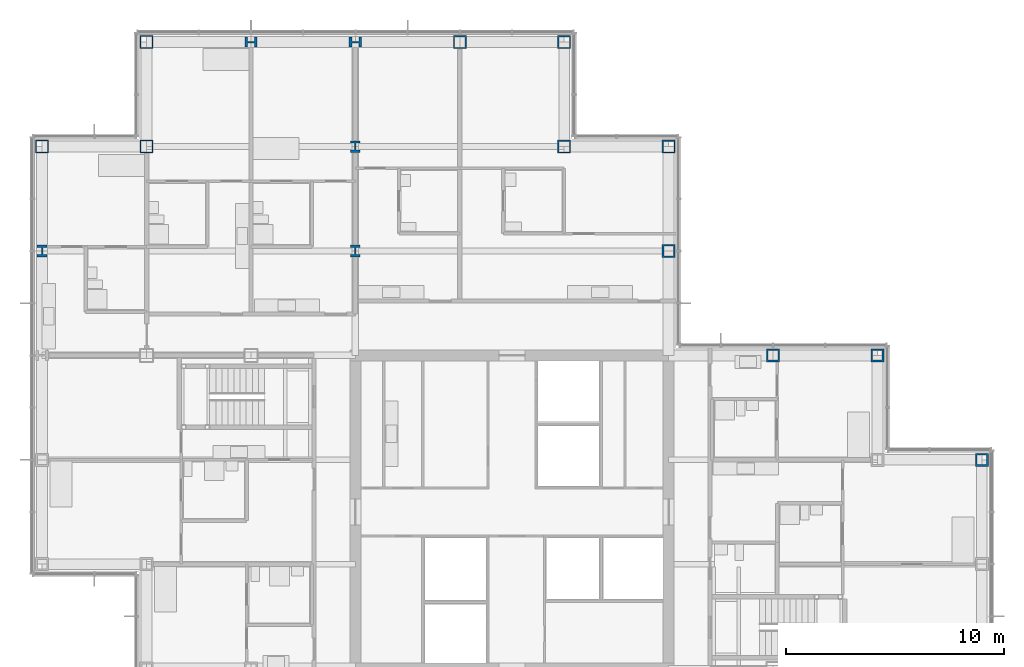
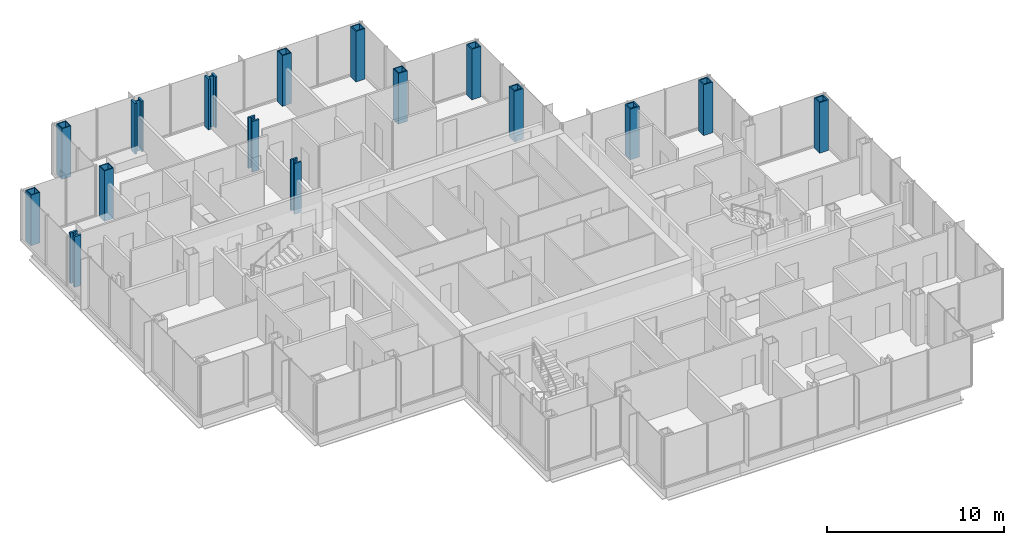
# One storey, part 5 of 19: 16 columns.
"""IFC4 building model written with IfcOpenShell, lengths in metres."""

from ifc_helpers import new_model, si_unit, direction, frame, origin, origin_2d, place, context, subcontext, project, spatial, hollow_rectangle, i_section, extrude, material, material_profile, profile_set, type_object, element, save


model = new_model("IFC4")

# Units and contexts
model_context = context("Model", 3, precision=1e-05, world=origin(), true_north=direction((0.0, 1.0)))
body_context = subcontext(model_context, "Body", "Model", "MODEL_VIEW")
ifc_project = project(units=[si_unit("LENGTHUNIT", "METRE"), si_unit("AREAUNIT", "SQUARE_METRE"), si_unit("VOLUMEUNIT", "CUBIC_METRE"), si_unit("PLANEANGLEUNIT", "RADIAN"), si_unit("MASSUNIT", "GRAM", prefix="KILO")], contexts=[model_context])

# Site, building, storey
site_placement = place(None, origin())
site = spatial("IfcSite", under=ifc_project, at=site_placement, CompositionType="ELEMENT")
building_placement = place(site_placement, origin())
building = spatial("IfcBuilding", under=site, at=building_placement, Name="Kvirike Care Tower", CompositionType="ELEMENT")
storey_placement = place(building_placement, frame((0.0, 0.0, 108.5)))
storey = spatial("IfcBuildingStorey", under=building, at=storey_placement, Name="L29", CompositionType="ELEMENT", Elevation=108.5)

# Columns
ifc_material_1 = material(Name="Steel S460", Category="steel")
ifc_material_profile_1 = material_profile(ifc_material_1, hollow_rectangle(XDim=0.60009765625, YDim=0.60009765625, WallThickness=0.050048828125, at=origin_2d()), Name="BX 600x600x50")
ifc_profile_set_1 = profile_set([ifc_material_profile_1], Name="Steel S460")
column_type_1 = type_object("IfcColumnType", Name="COLUMN BX 600x600x50", PredefinedType="COLUMN", material=ifc_profile_set_1)
for number, where, z_axis, x_axis, name in (
    (1, (0.0, 52.800048828125, 0.0), (0.0, 0.0, 1.0), (0.0, 1.0, 0.0), "Column M3 L29"),
    (2, (4.800048828125, 52.800048828125, 0.0), (0.0, 0.0, 1.0), (0.0, 1.0, 0.0), "Column M4 L29"),
    (3, (4.800048828125, 57.60009765625, 0.0), (0.0, 0.0, 1.0), (0.0, 1.0, 0.0), "Column N4 L29"),
):
    element("IfcColumn", number, at=place(storey_placement, frame(where, z_axis=z_axis, x_axis=x_axis)), inside=storey, type_object=column_type_1, Name=name, PredefinedType="COLUMN", context=body_context, shape_type="SweptSolid", body=[
        extrude(hollow_rectangle(XDim=0.60009765625, YDim=0.60009765625, WallThickness=0.050048828125, at=origin_2d()), origin(), (0.0, 0.0, 1.0), 3.5),
    ])
ifc_material_2 = material(Name="Steel S460", Category="steel")
ifc_material_profile_2 = material_profile(ifc_material_2, hollow_rectangle(XDim=0.60009765625, YDim=0.60009765625, WallThickness=0.06005859375, at=origin_2d()), Name="BX 600x600x60")
ifc_profile_set_2 = profile_set([ifc_material_profile_2], Name="Steel S460")
column_type_2 = type_object("IfcColumnType", Name="COLUMN BX 600x600x60", PredefinedType="COLUMN", material=ifc_profile_set_2)
for number, where, z_axis, x_axis, name in (
    (4, (19.199951171875, 57.60009765625, 0.0), (0.0, 0.0, 1.0), (0.0, 1.0, 0.0), "Column N7 L29"),
    (5, (24.0, 52.800048828125, 0.0), (0.0, 0.0, 1.0), (0.0, 1.0, 0.0), "Column M8 L29"),
    (6, (24.0, 57.60009765625, 0.0), (0.0, 0.0, 1.0), (0.0, 1.0, 0.0), "Column N8 L29"),
    (7, (28.800048828125, 52.800048828125, 0.0), (0.0, 0.0, 1.0), (0.0, 1.0, 0.0), "Column M9 L29"),
):
    element("IfcColumn", number, at=place(storey_placement, frame(where, z_axis=z_axis, x_axis=x_axis)), inside=storey, type_object=column_type_2, Name=name, PredefinedType="COLUMN", context=body_context, shape_type="SweptSolid", body=[
        extrude(hollow_rectangle(XDim=0.60009765625, YDim=0.60009765625, WallThickness=0.06005859375, at=origin_2d()), origin(), (0.0, 0.0, 1.0), 3.5),
    ])
ifc_material_3 = material(Name="Steel S460", Category="steel")
ifc_material_profile_3 = material_profile(ifc_material_3, hollow_rectangle(XDim=0.60009765625, YDim=0.60009765625, WallThickness=0.080078125, at=origin_2d()), Name="BX 600x600x80")
ifc_profile_set_3 = profile_set([ifc_material_profile_3], Name="Steel S460")
column_type_3 = type_object("IfcColumnType", Name="COLUMN BX 600x600x80", PredefinedType="COLUMN", material=ifc_profile_set_3)
for number, where, z_axis, x_axis, name in (
    (8, (28.800048828125, 48.0, 0.0), (0.0, 0.0, 1.0), (1.0, 0.0, 0.0), "Column L9 L29"),
    (9, (33.60009765625, 43.199951171875, 0.0), (0.0, 0.0, 1.0), (0.0, 1.0, 0.0), "Column K10 L29"),
    (10, (38.39990234375, 43.199951171875, 0.0), (0.0, 0.0, 1.0), (0.0, 1.0, 0.0), "Column K11 L29"),
    (11, (43.199951171875, 38.39990234375, 0.0), (0.0, 0.0, 1.0), (0.0, 1.0, 0.0), "Column J12 L29"),
):
    element("IfcColumn", number, at=place(storey_placement, frame(where, z_axis=z_axis, x_axis=x_axis)), inside=storey, type_object=column_type_3, Name=name, PredefinedType="COLUMN", context=body_context, shape_type="SweptSolid", body=[
        extrude(hollow_rectangle(XDim=0.60009765625, YDim=0.60009765625, WallThickness=0.080078125, at=origin_2d()), origin(), (0.0, 0.0, 1.0), 3.5),
    ])
ifc_material_4 = material(Name="Steel S460", Category="steel")
ifc_material_profile_4 = material_profile(ifc_material_4, i_section(OverallWidth=0.4541015625, OverallDepth=0.569091796875, WebThickness=0.077880859375, FlangeThickness=0.125, FilletRadius=0.014892578125, at=origin_2d()), Name="HD 400x1086")
ifc_profile_set_4 = profile_set([ifc_material_profile_4], Name="Steel S460")
column_type_4 = type_object("IfcColumnType", Name="COLUMN HD 400x1086", PredefinedType="COLUMN", material=ifc_profile_set_4)
for number, where, z_axis, x_axis, name in (
    (12, (0.0, 48.0, 0.0), (0.0, 0.0, 1.0), (1.0, 0.0, 0.0), "Column L3 L29"),
    (13, (9.60009765625, 57.60009765625, 0.0), (0.0, 0.0, 1.0), (0.0, 1.0, 0.0), "Column N5 L29"),
    (14, (14.39990234375, 57.60009765625, 0.0), (0.0, 0.0, 1.0), (0.0, 1.0, 0.0), "Column N6 L29"),
):
    element("IfcColumn", number, at=place(storey_placement, frame(where, z_axis=z_axis, x_axis=x_axis)), inside=storey, type_object=column_type_4, Name=name, PredefinedType="COLUMN", context=body_context, shape_type="SweptSolid", body=[
        extrude(i_section(OverallWidth=0.4541015625, OverallDepth=0.569091796875, WebThickness=0.077880859375, FlangeThickness=0.125, FilletRadius=0.014892578125, at=origin_2d()), origin(), (0.0, 0.0, 1.0), 3.5),
    ])
ifc_material_5 = material(Name="Steel S460", Category="steel")
ifc_material_profile_5 = material_profile(ifc_material_5, i_section(OverallWidth=0.44189453125, OverallDepth=0.531005859375, WebThickness=0.06591796875, FlangeThickness=0.10595703125, FilletRadius=0.014892578125, at=origin_2d()), Name="HD 400x900")
ifc_profile_set_5 = profile_set([ifc_material_profile_5], Name="Steel S460")
column_type_5 = type_object("IfcColumnType", Name="COLUMN HD 400x900", PredefinedType="COLUMN", material=ifc_profile_set_5)
for number, where, z_axis, x_axis, name in (
    (15, (14.39990234375, 48.0, 0.0), (0.0, 0.0, 1.0), (1.0, 0.0, 0.0), "Column L6 L29"),
    (16, (14.39990234375, 52.800048828125, 0.0), (0.0, 0.0, 1.0), (1.0, 0.0, 0.0), "Column M6 L29"),
):
    element("IfcColumn", number, at=place(storey_placement, frame(where, z_axis=z_axis, x_axis=x_axis)), inside=storey, type_object=column_type_5, Name=name, PredefinedType="COLUMN", context=body_context, shape_type="SweptSolid", body=[
        extrude(i_section(OverallWidth=0.44189453125, OverallDepth=0.531005859375, WebThickness=0.06591796875, FlangeThickness=0.10595703125, FilletRadius=0.014892578125, at=origin_2d()), origin(), (0.0, 0.0, 1.0), 3.5),
    ])

save(model, "model.ifc")
